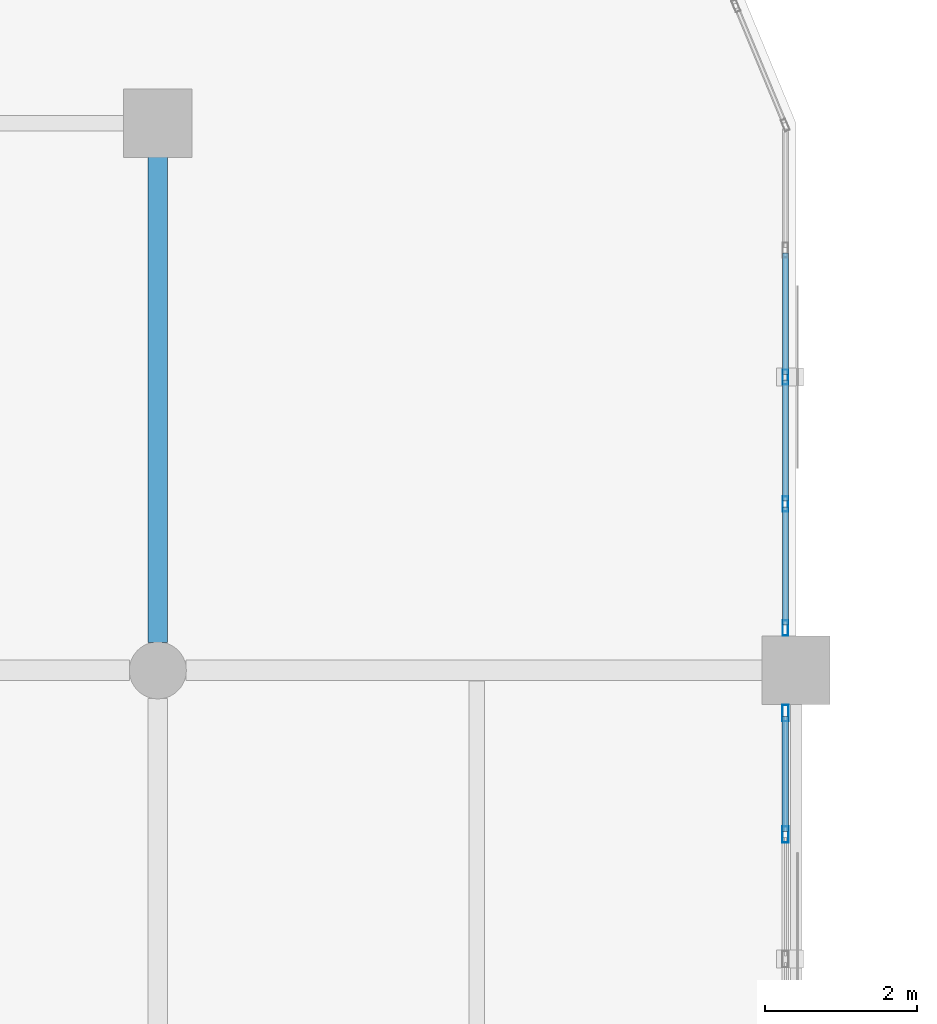
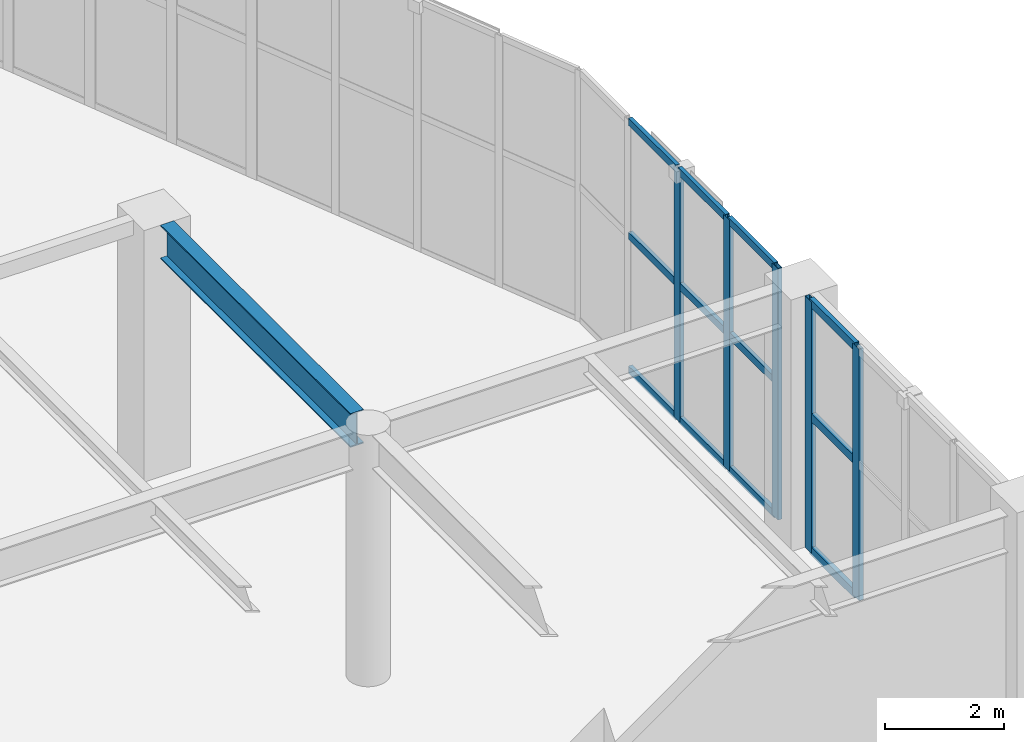
# One storey, part 51 of 139: 17 members, 1 beam, 2 elements without a shape of their own.
"""IFC4 building model written with IfcOpenShell, lengths in metres."""

from ifc_helpers import new_model, si_unit, direction, frame, origin, origin_2d, place, context, subcontext, project, spatial, hollow_rectangle, i_section, extrude, material, layer, layer_set, material_profile, profile_set, type_object, element, aggregate, save


model = new_model("IFC4")

# Units and contexts
model_context = context("Model", 3, precision=1e-05, world=origin(), true_north=direction((0.0, 1.0)))
body_context = subcontext(model_context, "Body", "Model", "MODEL_VIEW")
ifc_project = project(units=[si_unit("LENGTHUNIT", "METRE"), si_unit("AREAUNIT", "SQUARE_METRE"), si_unit("VOLUMEUNIT", "CUBIC_METRE"), si_unit("PLANEANGLEUNIT", "RADIAN"), si_unit("MASSUNIT", "GRAM", prefix="KILO")], contexts=[model_context])

# Site, building, storey
site_placement = place(None, origin())
site = spatial("IfcSite", under=ifc_project, at=site_placement, CompositionType="ELEMENT")
building_placement = place(site_placement, origin())
building = spatial("IfcBuilding", under=site, at=building_placement, Name="Xicomal Pleat Aquarium", CompositionType="ELEMENT")
storey_placement = place(building_placement, origin())
storey = spatial("IfcBuildingStorey", under=building, at=storey_placement, Name="L01", CompositionType="ELEMENT", Elevation=0.0)

# Beam
ifc_material_1 = material(Name="Structural steel A992 Gr 50", Category="steel")
ifc_material_profile_1 = material_profile(ifc_material_1, i_section(OverallWidth=0.256103515625, OverallDepth=0.693115234375, WebThickness=0.014404296875, FlangeThickness=0.023681640625, at=origin_2d()), Name="IR 690x170")
ifc_profile_set_1 = profile_set([ifc_material_profile_1], Name="Structural steel A992 Gr 50")
beam_type = type_object("IfcBeamType", Name="BM-STL-IR690", PredefinedType="BEAM", material=ifc_profile_set_1)
beam_placement = place(storey_placement, frame((18.60009765625, 91.570068359375, 4.8134765625), z_axis=(0.0, 1.0, 0.0), x_axis=(-1.0, 0.0, 0.0)))
element("IfcBeam", 1, at=beam_placement, inside=storey, type_object=beam_type, Name="L01 framing beam FGY-L01-03-N-P", PredefinedType="BEAM", context=body_context, shape_type="SweptSolid", body=[
    extrude(i_section(OverallWidth=0.256103515625, OverallDepth=0.693115234375, WebThickness=0.014404296875, FlangeThickness=0.023681640625, at=origin_2d()), origin(), (0.0, 0.0, 1.0), 6.385009765625),
])

# Curtain wall, members
ifc_material_2 = material(Name="Bronze anodized aluminium 6063-T6", Category="aluminium")
ifc_layer_1 = layer(ifc_material_2, 0.159912109375)
ifc_layer_set_1 = layer_set([ifc_layer_1], Name="Bronze anodized aluminium 6063-T6")
curtain_wall_type_1 = type_object("IfcCurtainWallType", Name="CW-SYS-06", PredefinedType="NOTDEFINED", material=ifc_layer_set_1)
curtain_wall_1_placement = place(storey_placement, origin())
curtain_wall_1 = element("IfcCurtainWall", 2, at=curtain_wall_1_placement, inside=storey, type_object=curtain_wall_type_1, Name="L01 unitised curtain wall CW-L01-019", PredefinedType="NOTDEFINED")
ifc_material_3 = material(Name="Bronze anodized aluminium 6063-T6", Category="aluminium")
ifc_material_profile_2 = material_profile(ifc_material_3, hollow_rectangle(XDim=0.074951171875, YDim=0.199951171875, WallThickness=0.00439453125, at=origin_2d()), Name="ALU MULL 75x200")
ifc_profile_set_2 = profile_set([ifc_material_profile_2], Name="Bronze anodized aluminium 6063-T6")
member_type_1 = type_object("IfcMemberType", Name="CWM-75x200", PredefinedType="MULLION", material=ifc_profile_set_2)
member_1_placement = place(storey_placement, frame((26.860107421875, 95.06005859375, 0.0), z_axis=(0.0, 0.0, 1.0), x_axis=(1.0, 0.0, 0.0)))
member_1 = element("IfcMember", 3, at=member_1_placement, type_object=member_type_1, Name="CW-06 mullion 3", PredefinedType="MULLION", context=body_context, shape_type="SweptSolid", body=[
    extrude(hollow_rectangle(XDim=0.074951171875, YDim=0.199951171875, WallThickness=0.00439453125, at=origin_2d()), origin(), (0.0, 0.0, 1.0), 5.159912109375),
])
member_2_placement = place(storey_placement, frame((26.860107421875, 93.389892578125, 0.0), z_axis=(0.0, 0.0, 1.0), x_axis=(1.0, 0.0, 0.0)))
member_2 = element("IfcMember", 4, at=member_2_placement, type_object=member_type_1, Name="CW-06 mullion 4", PredefinedType="MULLION", context=body_context, shape_type="SweptSolid", body=[
    extrude(hollow_rectangle(XDim=0.074951171875, YDim=0.199951171875, WallThickness=0.00439453125, at=origin_2d()), origin(), (0.0, 0.0, 1.0), 5.159912109375),
])
member_3_placement = place(storey_placement, frame((26.860107421875, 91.757568359375, 0.0), z_axis=(0.0, 0.0, 1.0), x_axis=(1.0, 0.0, 0.0)))
member_3 = element("IfcMember", 5, at=member_3_placement, type_object=member_type_1, Name="CW-06 mullion 5", PredefinedType="MULLION", context=body_context, shape_type="SweptSolid", body=[
    extrude(hollow_rectangle(XDim=0.074951171875, YDim=0.199951171875, WallThickness=0.00439453125, at=origin_2d()), origin(), (0.0, 0.0, 1.0), 5.159912109375),
])

ifc_material_4 = material(Name="Bronze anodized aluminium 6063-T6", Category="aluminium")
ifc_layer_2 = layer(ifc_material_4, 0.159912109375)
ifc_layer_set_2 = layer_set([ifc_layer_2], Name="Bronze anodized aluminium 6063-T6")
curtain_wall_type_2 = type_object("IfcCurtainWallType", Name="CW-SYS-11", PredefinedType="NOTDEFINED", material=ifc_layer_set_2)
curtain_wall_2_placement = place(storey_placement, origin())
curtain_wall_2 = element("IfcCurtainWall", 6, at=curtain_wall_2_placement, inside=storey, type_object=curtain_wall_type_2, Name="L01 unitised curtain wall CW-L01-020", PredefinedType="NOTDEFINED")
ifc_material_5 = material(Name="Bronze anodized aluminium 6063-T6", Category="aluminium")
ifc_material_profile_3 = material_profile(ifc_material_5, hollow_rectangle(XDim=0.0849609375, YDim=0.219970703125, WallThickness=0.0048828125, at=origin_2d()), Name="ALU MULL 85x220")
ifc_profile_set_3 = profile_set([ifc_material_profile_3], Name="Bronze anodized aluminium 6063-T6")
member_type_2 = type_object("IfcMemberType", Name="CWM-85x220", PredefinedType="MULLION", material=ifc_profile_set_3)
member_4_placement = place(storey_placement, frame((26.860107421875, 90.637451171875, 0.0), z_axis=(0.0, 0.0, 1.0), x_axis=(1.0, 0.0, 0.0)))
member_4 = element("IfcMember", 7, at=member_4_placement, type_object=member_type_2, Name="CW-11 mullion 1", PredefinedType="MULLION", context=body_context, shape_type="SweptSolid", body=[
    extrude(hollow_rectangle(XDim=0.0849609375, YDim=0.219970703125, WallThickness=0.0048828125, at=origin_2d()), origin(), (0.0, 0.0, 1.0), 5.159912109375),
])
member_5_placement = place(storey_placement, frame((26.860107421875, 89.0400390625, 0.0), z_axis=(0.0, 0.0, 1.0), x_axis=(1.0, 0.0, 0.0)))
member_5 = element("IfcMember", 8, at=member_5_placement, type_object=member_type_2, Name="CW-11 mullion 2", PredefinedType="MULLION", context=body_context, shape_type="SweptSolid", body=[
    extrude(hollow_rectangle(XDim=0.0849609375, YDim=0.219970703125, WallThickness=0.0048828125, at=origin_2d()), origin(), (0.0, 0.0, 1.0), 5.159912109375),
])

# Member
ifc_material_6 = material(Name="Bronze anodized aluminium 6063-T6", Category="aluminium")
ifc_material_profile_4 = material_profile(ifc_material_6, hollow_rectangle(XDim=0.074951171875, YDim=0.14990234375, WallThickness=0.00439453125, at=origin_2d()), Name="ALU TRAN 75x150")
ifc_profile_set_4 = profile_set([ifc_material_profile_4], Name="Bronze anodized aluminium 6063-T6")
member_type_3 = type_object("IfcMemberType", Name="CWT-75x150", PredefinedType="USERDEFINED", material=ifc_profile_set_4)
member_6_placement = place(storey_placement, frame((26.860107421875, 96.6923828125, 0.03759765625), z_axis=(0.0, -1.0, 0.0), x_axis=(1.0, 0.0, 0.0)))
member_6 = element("IfcMember", 9, at=member_6_placement, type_object=member_type_3, Name="CW-06 transom 2.1", ObjectType="TRANSOM", PredefinedType="USERDEFINED", context=body_context, shape_type="SweptSolid", body=[
    extrude(hollow_rectangle(XDim=0.074951171875, YDim=0.14990234375, WallThickness=0.00439453125, at=origin_2d()), origin(), (0.0, 0.0, 1.0), 1.594970703125),
])

member_7_placement = place(storey_placement, frame((26.860107421875, 96.6923828125, 2.785888671875), z_axis=(0.0, -1.0, 0.0), x_axis=(1.0, 0.0, 0.0)))
member_7 = element("IfcMember", 10, at=member_7_placement, type_object=member_type_3, Name="CW-06 transom 2.2", ObjectType="TRANSOM", PredefinedType="USERDEFINED", context=body_context, shape_type="SweptSolid", body=[
    extrude(hollow_rectangle(XDim=0.074951171875, YDim=0.14990234375, WallThickness=0.00439453125, at=origin_2d()), origin(), (0.0, 0.0, 1.0), 1.594970703125),
])

member_8_placement = place(storey_placement, frame((26.860107421875, 96.6923828125, 5.12255859375), z_axis=(0.0, -1.0, 0.0), x_axis=(1.0, 0.0, 0.0)))
member_8 = element("IfcMember", 11, at=member_8_placement, type_object=member_type_3, Name="CW-06 transom 2.3", ObjectType="TRANSOM", PredefinedType="USERDEFINED", context=body_context, shape_type="SweptSolid", body=[
    extrude(hollow_rectangle(XDim=0.074951171875, YDim=0.14990234375, WallThickness=0.00439453125, at=origin_2d()), origin(), (0.0, 0.0, 1.0), 1.594970703125),
])

member_9_placement = place(storey_placement, frame((26.860107421875, 95.0224609375, 0.03759765625), z_axis=(0.0, -1.0, 0.0), x_axis=(1.0, 0.0, 0.0)))
member_9 = element("IfcMember", 12, at=member_9_placement, type_object=member_type_3, Name="CW-06 transom 3.1", ObjectType="TRANSOM", PredefinedType="USERDEFINED", context=body_context, shape_type="SweptSolid", body=[
    extrude(hollow_rectangle(XDim=0.074951171875, YDim=0.14990234375, WallThickness=0.00439453125, at=origin_2d()), origin(), (0.0, 0.0, 1.0), 1.594970703125),
])

member_10_placement = place(storey_placement, frame((26.860107421875, 95.0224609375, 2.785888671875), z_axis=(0.0, -1.0, 0.0), x_axis=(1.0, 0.0, 0.0)))
member_10 = element("IfcMember", 13, at=member_10_placement, type_object=member_type_3, Name="CW-06 transom 3.2", ObjectType="TRANSOM", PredefinedType="USERDEFINED", context=body_context, shape_type="SweptSolid", body=[
    extrude(hollow_rectangle(XDim=0.074951171875, YDim=0.14990234375, WallThickness=0.00439453125, at=origin_2d()), origin(), (0.0, 0.0, 1.0), 1.594970703125),
])

member_11_placement = place(storey_placement, frame((26.860107421875, 95.0224609375, 5.12255859375), z_axis=(0.0, -1.0, 0.0), x_axis=(1.0, 0.0, 0.0)))
member_11 = element("IfcMember", 14, at=member_11_placement, type_object=member_type_3, Name="CW-06 transom 3.3", ObjectType="TRANSOM", PredefinedType="USERDEFINED", context=body_context, shape_type="SweptSolid", body=[
    extrude(hollow_rectangle(XDim=0.074951171875, YDim=0.14990234375, WallThickness=0.00439453125, at=origin_2d()), origin(), (0.0, 0.0, 1.0), 1.594970703125),
])

member_12_placement = place(storey_placement, frame((26.860107421875, 93.3525390625, 0.03759765625), z_axis=(0.0, -1.0, 0.0), x_axis=(1.0, 0.0, 0.0)))
member_12 = element("IfcMember", 15, at=member_12_placement, type_object=member_type_3, Name="CW-06 transom 4.1", ObjectType="TRANSOM", PredefinedType="USERDEFINED", context=body_context, shape_type="SweptSolid", body=[
    extrude(hollow_rectangle(XDim=0.074951171875, YDim=0.14990234375, WallThickness=0.00439453125, at=origin_2d()), origin(), (0.0, 0.0, 1.0), 1.5576171875),
])

member_13_placement = place(storey_placement, frame((26.860107421875, 93.3525390625, 2.785888671875), z_axis=(0.0, -1.0, 0.0), x_axis=(1.0, 0.0, 0.0)))
member_13 = element("IfcMember", 16, at=member_13_placement, type_object=member_type_3, Name="CW-06 transom 4.2", ObjectType="TRANSOM", PredefinedType="USERDEFINED", context=body_context, shape_type="SweptSolid", body=[
    extrude(hollow_rectangle(XDim=0.074951171875, YDim=0.14990234375, WallThickness=0.00439453125, at=origin_2d()), origin(), (0.0, 0.0, 1.0), 1.5576171875),
])

member_14_placement = place(storey_placement, frame((26.860107421875, 93.3525390625, 5.12255859375), z_axis=(0.0, -1.0, 0.0), x_axis=(1.0, 0.0, 0.0)))
member_14 = element("IfcMember", 17, at=member_14_placement, type_object=member_type_3, Name="CW-06 transom 4.3", ObjectType="TRANSOM", PredefinedType="USERDEFINED", context=body_context, shape_type="SweptSolid", body=[
    extrude(hollow_rectangle(XDim=0.074951171875, YDim=0.14990234375, WallThickness=0.00439453125, at=origin_2d()), origin(), (0.0, 0.0, 1.0), 1.5576171875),
])

aggregate(curtain_wall_1, [member_1, member_2, member_3, member_6, member_7, member_8, member_9, member_10, member_11, member_12, member_13, member_14])

ifc_material_7 = material(Name="Bronze anodized aluminium 6063-T6", Category="aluminium")
ifc_material_profile_5 = material_profile(ifc_material_7, hollow_rectangle(XDim=0.0849609375, YDim=0.169921875, WallThickness=0.0048828125, at=origin_2d()), Name="ALU TRAN 85x170")
ifc_profile_set_5 = profile_set([ifc_material_profile_5], Name="Bronze anodized aluminium 6063-T6")
member_type_4 = type_object("IfcMemberType", Name="CWT-85x170", PredefinedType="USERDEFINED", material=ifc_profile_set_5)
member_15_placement = place(storey_placement, frame((26.860107421875, 90.594970703125, 0.04248046875), z_axis=(0.0, -1.0, 0.0), x_axis=(1.0, 0.0, 0.0)))
member_15 = element("IfcMember", 18, at=member_15_placement, type_object=member_type_4, Name="CW-11 transom 1.1", ObjectType="TRANSOM", PredefinedType="USERDEFINED", context=body_context, shape_type="SweptSolid", body=[
    extrude(hollow_rectangle(XDim=0.0849609375, YDim=0.169921875, WallThickness=0.0048828125, at=origin_2d()), origin(), (0.0, 0.0, 1.0), 1.512451171875),
])

member_16_placement = place(storey_placement, frame((26.860107421875, 90.594970703125, 2.785888671875), z_axis=(0.0, -1.0, 0.0), x_axis=(1.0, 0.0, 0.0)))
member_16 = element("IfcMember", 19, at=member_16_placement, type_object=member_type_4, Name="CW-11 transom 1.2", ObjectType="TRANSOM", PredefinedType="USERDEFINED", context=body_context, shape_type="SweptSolid", body=[
    extrude(hollow_rectangle(XDim=0.0849609375, YDim=0.169921875, WallThickness=0.0048828125, at=origin_2d()), origin(), (0.0, 0.0, 1.0), 1.512451171875),
])

member_17_placement = place(storey_placement, frame((26.860107421875, 90.594970703125, 5.117431640625), z_axis=(0.0, -1.0, 0.0), x_axis=(1.0, 0.0, 0.0)))
member_17 = element("IfcMember", 20, at=member_17_placement, type_object=member_type_4, Name="CW-11 transom 1.3", ObjectType="TRANSOM", PredefinedType="USERDEFINED", context=body_context, shape_type="SweptSolid", body=[
    extrude(hollow_rectangle(XDim=0.0849609375, YDim=0.169921875, WallThickness=0.0048828125, at=origin_2d()), origin(), (0.0, 0.0, 1.0), 1.512451171875),
])

aggregate(curtain_wall_2, [member_4, member_5, member_15, member_16, member_17])

save(model, "model.ifc")
